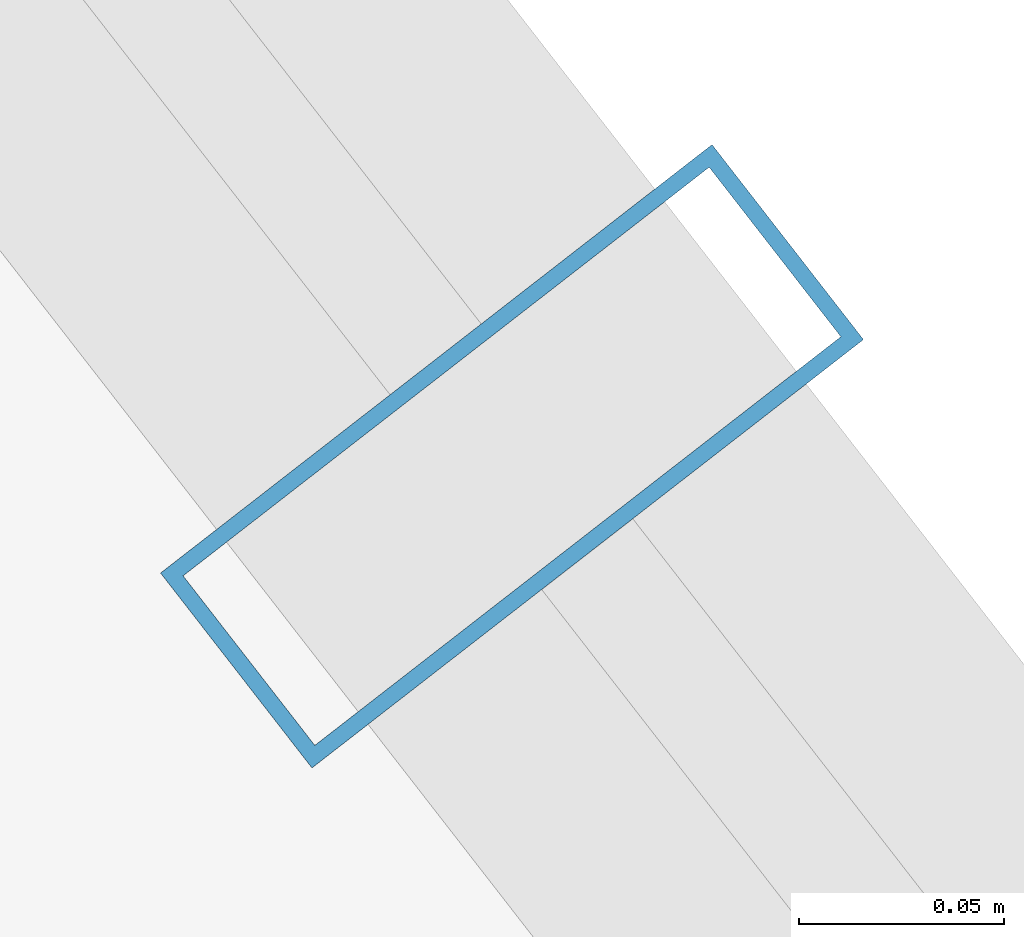
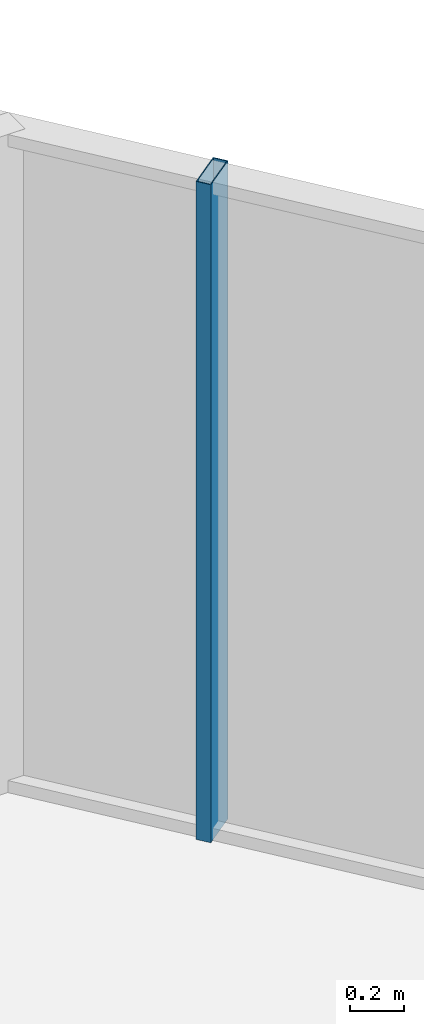
# One storey, part 29 of 37: 1 member, 1 element without a shape of its own.
"""IFC4 building model written with IfcOpenShell, lengths in metres."""

from ifc_helpers import new_model, si_unit, direction, frame, origin, origin_2d, place, context, subcontext, project, spatial, hollow_rectangle, extrude, source, transform, mapped, material, layer, layer_set, material_profile, profile_set, type_object, element, aggregate, save


model = new_model("IFC4")

# Units and contexts
model_context = context("Model", 3, precision=1e-05, world=origin(), true_north=direction((0.0, 1.0)))
body_context = subcontext(model_context, "Body", "Model", "MODEL_VIEW")
ifc_project = project(units=[si_unit("LENGTHUNIT", "METRE"), si_unit("AREAUNIT", "SQUARE_METRE"), si_unit("VOLUMEUNIT", "CUBIC_METRE"), si_unit("PLANEANGLEUNIT", "RADIAN"), si_unit("MASSUNIT", "GRAM", prefix="KILO")], contexts=[model_context])

# Site, building, storey
site_placement = place(None, origin())
site = spatial("IfcSite", under=ifc_project, at=site_placement, CompositionType="ELEMENT")
building_placement = place(site_placement, origin())
building = spatial("IfcBuilding", under=site, at=building_placement, Name="Veraguas Prism Commons", CompositionType="ELEMENT")
storey_placement = place(building_placement, frame((0.0, 0.0, 50.050048828125)))
storey = spatial("IfcBuildingStorey", under=building, at=storey_placement, Name="L13", CompositionType="ELEMENT", Elevation=50.050048828125)

# Curtain wall, member
ifc_material = material(Name="Anodised aluminium EN AW-6063 T6", Category="aluminium")
ifc_layer = layer(ifc_material, 0.169921875, Name="Unitised Flush Curtain Wall Zone 1", Category="aluminium")
ifc_layer_set = layer_set([ifc_layer], Name="Anodised aluminium EN AW-6063 T6")
curtain_wall_type = type_object("IfcCurtainWallType", Name="Unitised Flush Curtain Wall Zone 1", PredefinedType="NOTDEFINED", material=ifc_layer_set)
curtain_wall_placement = place(storey_placement, origin())
curtain_wall = element("IfcCurtainWall", 1, at=curtain_wall_placement, inside=storey, type_object=curtain_wall_type, Name="Tower Facade Curtain Wall L13-F1", PredefinedType="NOTDEFINED")
ifc_material_profile = material_profile(ifc_material, hollow_rectangle(XDim=0.06005859375, YDim=0.169921875, WallThickness=0.00390625, at=origin_2d()), Name="AL60X170X4")
ifc_profile_set = profile_set([ifc_material_profile], Name="Anodised aluminium EN AW-6063 T6")
member_type = type_object("IfcMemberType", Name="Curtain Wall Mullion Lower AL 60x170x4", PredefinedType="MULLION", material=ifc_profile_set)
shared_shape = source(origin(), body_context, "Body", "SweptSolid", [
    extrude(hollow_rectangle(XDim=0.06005859375, YDim=0.169921875, WallThickness=0.00390625, at=origin_2d()), origin(), (0.0, 0.0, 1.0), 3.0),
])
member_placement = place(storey_placement, frame((40.414306640625, 36.75048828125, 0.0), z_axis=(0.0, 0.0, 1.0), x_axis=(-0.613461293172, 0.789724788632, 0.0)))
member = element("IfcMember", 2, at=member_placement, type_object=member_type, Name="CW-Z1 Mullion 3", PredefinedType="MULLION", context=body_context, shape_type="MappedRepresentation", body=[
    mapped(shared_shape, transform((0.0, 0.0, 0.0), scale=1.0)),
])
aggregate(curtain_wall, [member])

save(model, "model.ifc")
